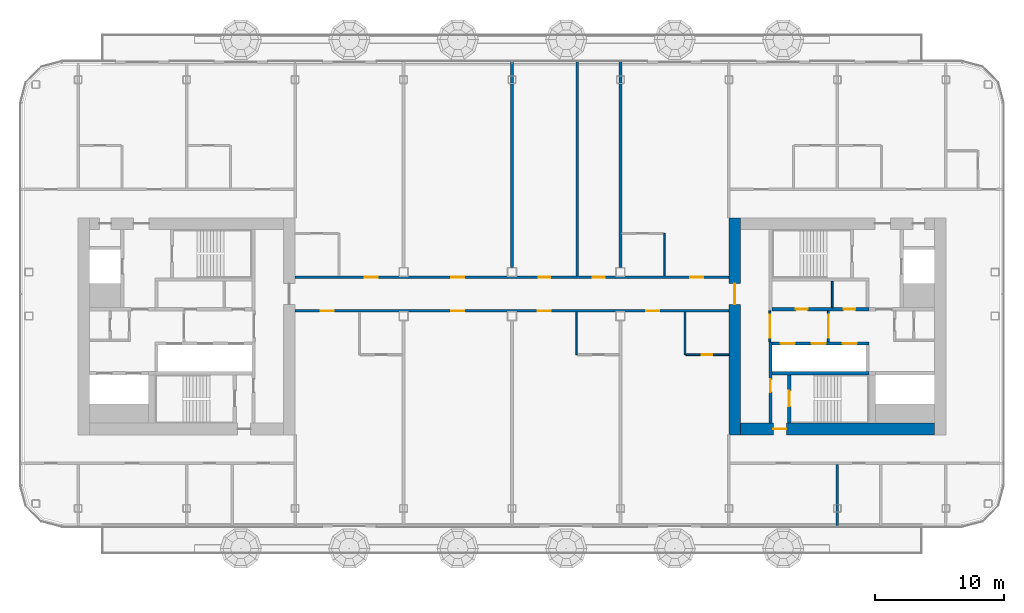
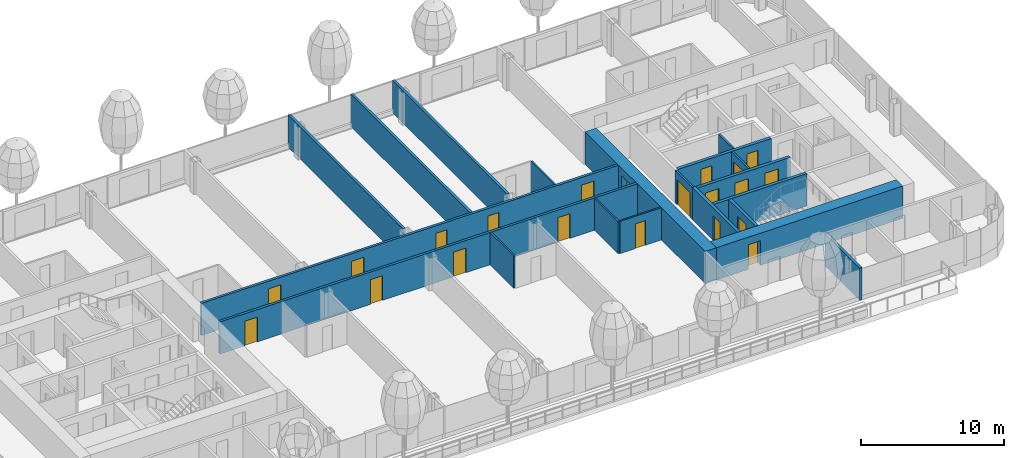
# One storey, part 13 of 28: 21 doors, 20 walls, 21 openings.
"""IFC4 building model written with IfcOpenShell, lengths in metres."""

from ifc_helpers import new_model, si_unit, direction, frame, frame_2d, origin, place, context, subcontext, project, spatial, rectangle, extrude, material, layer, layer_set, type_object, element, fill, save


model = new_model("IFC4")

# Units and contexts
model_context = context("Model", 3, precision=1e-05, world=origin(), true_north=direction((0.0, 1.0)))
body_context = subcontext(model_context, "Body", "Model", "MODEL_VIEW")
ifc_project = project(units=[si_unit("LENGTHUNIT", "METRE"), si_unit("AREAUNIT", "SQUARE_METRE"), si_unit("VOLUMEUNIT", "CUBIC_METRE"), si_unit("PLANEANGLEUNIT", "RADIAN"), si_unit("MASSUNIT", "GRAM", prefix="KILO")], contexts=[model_context])

# Site, building, storey
site_placement = place(None, origin())
site = spatial("IfcSite", under=ifc_project, at=site_placement, CompositionType="ELEMENT")
building_placement = place(site_placement, origin())
building = spatial("IfcBuilding", under=site, at=building_placement, Name="Hakoniwa Tower and Hamabe Station Hall", CompositionType="ELEMENT")
storey_placement = place(building_placement, frame((0.0, 0.0, 218.60009765625)))
storey = spatial("IfcBuildingStorey", under=building, at=storey_placement, Name="L62", CompositionType="ELEMENT", Elevation=218.60009765625)

# Wall, opening, door
ifc_material_1 = material(Name="Gypsum board partition", Category="gypsum")
ifc_layer_1 = layer(ifc_material_1, 0.125)
ifc_layer_set_1 = layer_set([ifc_layer_1], Name="Bathroom Partition 125")
wall_type_1 = type_object("IfcWallType", Name="Bathroom Partition 125", PredefinedType="PARTITIONING", material=ifc_layer_set_1)
wall_1_placement = place(storey_placement, frame((13.46240234375, -2.199951171875, 0.0), z_axis=(0.0, 0.0, 1.0), x_axis=(1.0, 0.0, 0.0)))
wall_1 = element("IfcWall", 1, at=wall_1_placement, inside=storey, type_object=wall_type_1, Name="GW-L62-005", PredefinedType="PARTITIONING", context=body_context, shape_type="SweptSolid", body=[
    extrude(rectangle(XDim=3.34765625, YDim=0.125, at=frame_2d((1.673828125, 0.0))), origin(), (0.0, 0.0, 1.0), 2.75),
])
opening_1_placement = place(wall_1_placement, frame((1.237548828125, 0.0, 0.0)))
opening_1 = element("IfcOpeningElement", 2, at=opening_1_placement, cuts=wall_1, Name="Opening GD-G4A2-11", PredefinedType="OPENING", context=body_context, shape_type="SweptSolid", body=[
    extrude(rectangle(XDim=0.800048828125, YDim=2.10009765625, at=frame_2d((0.39990234375, 1.050048828125))), frame((0.0, 0.072509765625, 0.0), z_axis=(0.0, -1.0, 0.0), x_axis=(1.0, 0.0, 0.0)), (0.0, 0.0, 1.0), 0.14501953125),
])
ifc_material_2 = material(Name="Timber door leaf", Category="wood")
door_type_1 = type_object("IfcDoorType", Name="Bathroom Door 800", OperationType="SINGLE_SWING_LEFT", PredefinedType="DOOR", material=ifc_material_2)
door_1_placement = place(opening_1_placement, origin())
door_1 = element("IfcDoor", 3, at=door_1_placement, inside=storey, type_object=door_type_1, Name="Door GD-G4A2-11", OperationType="SINGLE_SWING_RIGHT", OverallHeight=2.10009765625, OverallWidth=0.800048828125, PredefinedType="DOOR", context=body_context, shape_type="SweptSolid", body=[
    extrude(rectangle(XDim=0.800048828125, YDim=2.10009765625, at=frame_2d((0.39990234375, 1.050048828125))), frame((0.0, 0.02490234375, 0.0), z_axis=(0.0, -1.0, 0.0), x_axis=(1.0, 0.0, 0.0)), (0.0, 0.0, 1.0), 0.050048828125),
])
fill(opening_1, door_1)

# Walls
for number, where, z_axis, x_axis, name in (
    (4, (5.0, -2.199951171875, 0.0), (0.0, 0.0, 1.0), (0.0, 1.0, 0.0), "GW-L62-031"),
    (5, (11.800048828125, 3.89990234375, 0.0), (0.0, 0.0, 1.0), (0.0, 1.0, 0.0), "GW-L62-035"),
    (6, (13.39990234375, -2.199951171875, 0.0), (0.0, 0.0, 1.0), (0.0, 1.0, 0.0), "GW-L62-036"),
):
    element("IfcWall", number, at=place(storey_placement, frame(where, z_axis=z_axis, x_axis=x_axis)), inside=storey, type_object=wall_type_1, Name=name, PredefinedType="PARTITIONING", context=body_context, shape_type="SweptSolid", body=[
        extrude(rectangle(XDim=3.300048828125, YDim=0.125, at=frame_2d((1.64990234375, 0.0))), origin(), (0.0, 0.0, 1.0), 2.75),
    ])

# Wall, opening, door
ifc_material_3 = material(Name="Gypsum board partition")
ifc_layer_2 = layer(ifc_material_3, 0.14990234375)
ifc_layer_set_2 = layer_set([ifc_layer_2], Name="CORE PARTITION 150 EI 60")
wall_type_2 = type_object("IfcWallType", Name="CORE PARTITION 150 EI 60", PredefinedType="PARTITIONING", material=ifc_layer_set_2)
wall_2_placement = place(storey_placement, frame((19.97509765625, -1.199951171875, 0.0), z_axis=(0.0, 0.0, 1.0), x_axis=(0.0, 1.0, 0.0)))
wall_2 = element("IfcWall", 7, at=wall_2_placement, inside=storey, type_object=wall_type_2, Name="Core partition PL0 east", PredefinedType="PARTITIONING", context=body_context, shape_type="SweptSolid", body=[
    extrude(rectangle(XDim=2.39990234375, YDim=0.14990234375, at=frame_2d((1.199951171875, 0.0))), origin(), (0.0, 0.0, 1.0), 2.75),
])
opening_2_placement = place(wall_2_placement, frame((0.300048828125, 0.0, 0.0)))
opening_2 = element("IfcOpeningElement", 8, at=opening_2_placement, cuts=wall_2, Name="Opening CD-E-LP0-18", PredefinedType="OPENING", context=body_context, shape_type="SweptSolid", body=[
    extrude(rectangle(XDim=1.800048828125, YDim=2.10009765625, at=frame_2d((0.89990234375, 1.050048828125))), frame((0.0, 0.0849609375, 0.0), z_axis=(0.0, -1.0, 0.0), x_axis=(1.0, 0.0, 0.0)), (0.0, 0.0, 1.0), 0.169921875),
])
ifc_material_4 = material(Name="Steel fire door", Category="steel")
door_type_2 = type_object("IfcDoorType", Name="CORE DOOR 1800 FD60", OperationType="DOUBLE_DOOR_SINGLE_SWING", PredefinedType="DOOR", material=ifc_material_4)
door_2_placement = place(opening_2_placement, origin())
door_2 = element("IfcDoor", 9, at=door_2_placement, inside=storey, type_object=door_type_2, Name="Lift lobby partition door", OperationType="DOUBLE_DOOR_SINGLE_SWING", OverallHeight=2.10009765625, OverallWidth=1.800048828125, PredefinedType="DOOR", context=body_context, shape_type="SweptSolid", body=[
    extrude(rectangle(XDim=1.800048828125, YDim=2.10009765625, at=frame_2d((0.89990234375, 1.050048828125))), frame((0.0, 0.02490234375, 0.0), z_axis=(0.0, -1.0, 0.0), x_axis=(1.0, 0.0, 0.0)), (0.0, 0.0, 1.0), 0.050048828125),
])
fill(opening_2, door_2)

wall_3_placement = place(storey_placement, frame((24.5, -1.199951171875, 0.0), z_axis=(0.0, 0.0, 1.0), x_axis=(0.0, 1.0, 0.0)))
wall_3 = element("IfcWall", 10, at=wall_3_placement, inside=storey, type_object=wall_type_2, Name="Core partition PL1 east", PredefinedType="PARTITIONING", context=body_context, shape_type="SweptSolid", body=[
    extrude(rectangle(XDim=2.39990234375, YDim=0.14990234375, at=frame_2d((1.199951171875, 0.0))), origin(), (0.0, 0.0, 1.0), 2.75),
])
opening_3_placement = place(wall_3_placement, frame((0.300048828125, 0.0, 0.0)))
opening_3 = element("IfcOpeningElement", 11, at=opening_3_placement, cuts=wall_3, Name="Opening CD-E-LP1-18", PredefinedType="OPENING", context=body_context, shape_type="SweptSolid", body=[
    extrude(rectangle(XDim=1.800048828125, YDim=2.10009765625, at=frame_2d((0.89990234375, 1.050048828125))), frame((0.0, 0.0849609375, 0.0), z_axis=(0.0, -1.0, 0.0), x_axis=(1.0, 0.0, 0.0)), (0.0, 0.0, 1.0), 0.169921875),
])
door_3_placement = place(opening_3_placement, origin())
door_3 = element("IfcDoor", 12, at=door_3_placement, inside=storey, type_object=door_type_2, Name="Lift lobby partition door", OperationType="DOUBLE_DOOR_SINGLE_SWING", OverallHeight=2.10009765625, OverallWidth=1.800048828125, PredefinedType="DOOR", context=body_context, shape_type="SweptSolid", body=[
    extrude(rectangle(XDim=1.800048828125, YDim=2.10009765625, at=frame_2d((0.89990234375, 1.050048828125))), frame((0.0, 0.02490234375, 0.0), z_axis=(0.0, -1.0, 0.0), x_axis=(1.0, 0.0, 0.0)), (0.0, 0.0, 1.0), 0.050048828125),
])
fill(opening_3, door_3)

# Wall
wall_4_placement = place(storey_placement, frame((24.800048828125, 1.449951171875, 0.0), z_axis=(0.0, 0.0, 1.0), x_axis=(0.0, 1.0, 0.0)))
element("IfcWall", 13, at=wall_4_placement, inside=storey, type_object=wall_type_2, Name="Core partition PFLR0 east", PredefinedType="PARTITIONING", context=body_context, shape_type="SweptSolid", body=[
    extrude(rectangle(XDim=2.050048828125, YDim=0.14990234375, at=frame_2d((1.02490234375, 0.0))), origin(), (0.0, 0.0, 1.0), 2.75),
])

# Wall, opening, door
ifc_material_5 = material(Name="Concrete C60", Category="concrete")
ifc_layer_3 = layer(ifc_material_5, 0.89990234375)
ifc_layer_set_3 = layer_set([ifc_layer_3], Name="CORE WALL 900 C60")
wall_type_3 = type_object("IfcWallType", Name="CORE WALL 900 C60", PredefinedType="SHEAR", material=ifc_layer_set_3)
wall_5_placement = place(storey_placement, frame((17.25, -8.39990234375, 0.0), z_axis=(0.0, 0.0, 1.0), x_axis=(0.0, 1.0, 0.0)))
wall_5 = element("IfcWall", 14, at=wall_5_placement, inside=storey, type_object=wall_type_3, Name="Core wall INNER east", PredefinedType="SHEAR", context=body_context, shape_type="SweptSolid", body=[
    extrude(rectangle(XDim=16.7998046875, YDim=0.89990234375, at=frame_2d((8.39990234375, 0.0))), origin(), (0.0, 0.0, 1.0), 2.75),
])
opening_4_placement = place(wall_5_placement, frame((10.10009765625, 0.0, 0.0)))
opening_4 = element("IfcOpeningElement", 15, at=opening_4_placement, cuts=wall_5, Name="Opening CD-E-IN1-16", PredefinedType="OPENING", context=body_context, shape_type="SweptSolid", body=[
    extrude(rectangle(XDim=1.60009765625, YDim=2.10009765625, at=frame_2d((0.800048828125, 1.050048828125))), frame((0.0, 0.4599609375, 0.0), z_axis=(0.0, -1.0, 0.0), x_axis=(1.0, 0.0, 0.0)), (0.0, 0.0, 1.0), 0.919921875),
])
ifc_material_6 = material(Name="Steel fire door", Category="steel")
door_type_3 = type_object("IfcDoorType", Name="CORE DOOR 1600 FD60", OperationType="DOUBLE_DOOR_SINGLE_SWING", PredefinedType="DOOR", material=ifc_material_6)
door_4_placement = place(opening_4_placement, origin())
door_4 = element("IfcDoor", 16, at=door_4_placement, inside=storey, type_object=door_type_3, Name="Lift lobby door", OperationType="DOUBLE_DOOR_SINGLE_SWING", OverallHeight=2.10009765625, OverallWidth=1.60009765625, PredefinedType="DOOR", context=body_context, shape_type="SweptSolid", body=[
    extrude(rectangle(XDim=1.60009765625, YDim=2.10009765625, at=frame_2d((0.800048828125, 1.050048828125))), frame((0.0, 0.02490234375, 0.0), z_axis=(0.0, -1.0, 0.0), x_axis=(1.0, 0.0, 0.0)), (0.0, 0.0, 1.0), 0.050048828125),
])
fill(opening_4, door_4)

wall_6_placement = place(storey_placement, frame((17.699951171875, -7.949951171875, 0.0), z_axis=(0.0, 0.0, 1.0), x_axis=(1.0, 0.0, 0.0)))
wall_6 = element("IfcWall", 17, at=wall_6_placement, inside=storey, type_object=wall_type_3, Name="Core wall SOUTH east", PredefinedType="SHEAR", context=body_context, shape_type="SweptSolid", body=[
    extrude(rectangle(XDim=15.0, YDim=0.89990234375, at=frame_2d((7.5, 0.0))), origin(), (0.0, 0.0, 1.0), 2.75),
])
opening_5_placement = place(wall_6_placement, frame((2.550048828125, 0.0, 0.0)))
opening_5 = element("IfcOpeningElement", 18, at=opening_5_placement, cuts=wall_6, Name="Opening CD-E-FS3-10", PredefinedType="OPENING", context=body_context, shape_type="SweptSolid", body=[
    extrude(rectangle(XDim=1.0, YDim=2.10009765625, at=frame_2d((0.5, 1.050048828125))), frame((0.0, 0.4599609375, 0.0), z_axis=(0.0, -1.0, 0.0), x_axis=(1.0, 0.0, 0.0)), (0.0, 0.0, 1.0), 0.919921875),
])
ifc_material_7 = material(Name="Steel fire door", Category="steel")
door_type_4 = type_object("IfcDoorType", Name="CORE DOOR 1000 FD60", OperationType="NOTDEFINED", PredefinedType="DOOR", material=ifc_material_7)
door_5_placement = place(opening_5_placement, origin())
door_5 = element("IfcDoor", 19, at=door_5_placement, inside=storey, type_object=door_type_4, Name="Stair vestibule door", OperationType="SINGLE_SWING_RIGHT", OverallHeight=2.10009765625, OverallWidth=1.0, PredefinedType="DOOR", context=body_context, shape_type="SweptSolid", body=[
    extrude(rectangle(XDim=1.0, YDim=2.10009765625, at=frame_2d((0.5, 1.050048828125))), frame((0.0, 0.02490234375, 0.0), z_axis=(0.0, -1.0, 0.0), x_axis=(1.0, 0.0, 0.0)), (0.0, 0.0, 1.0), 0.050048828125),
])
fill(opening_5, door_5)

ifc_material_8 = material(Name="Concrete C60", Category="concrete")
ifc_layer_4 = layer(ifc_material_8, 0.25)
ifc_layer_set_4 = layer_set([ifc_layer_4], Name="CORE WEB WALL 250 C60")
wall_type_4 = type_object("IfcWallType", Name="CORE WEB WALL 250 C60", PredefinedType="SHEAR", material=ifc_layer_set_4)
wall_7_placement = place(storey_placement, frame((20.02490234375, -7.5, 0.0), z_axis=(0.0, 0.0, 1.0), x_axis=(0.0, 1.0, 0.0)))
wall_7 = element("IfcWall", 20, at=wall_7_placement, inside=storey, type_object=wall_type_4, Name="Core wall W1S east", PredefinedType="SHEAR", context=body_context, shape_type="SweptSolid", body=[
    extrude(rectangle(XDim=6.300048828125, YDim=0.25, at=frame_2d((3.14990234375, 0.0))), origin(), (0.0, 0.0, 1.0), 2.75),
])
opening_6_placement = place(wall_7_placement, frame((2.39990234375, 0.0, 0.0)))
opening_6 = element("IfcOpeningElement", 21, at=opening_6_placement, cuts=wall_7, Name="Opening CD-E-VS-10", PredefinedType="OPENING", context=body_context, shape_type="SweptSolid", body=[
    extrude(rectangle(XDim=1.0, YDim=2.10009765625, at=frame_2d((0.5, 1.050048828125))), frame((0.0, 0.135009765625, 0.0), z_axis=(0.0, -1.0, 0.0), x_axis=(1.0, 0.0, 0.0)), (0.0, 0.0, 1.0), 0.27001953125),
])
door_6_placement = place(opening_6_placement, origin())
door_6 = element("IfcDoor", 22, at=door_6_placement, inside=storey, type_object=door_type_4, Name="Stair vestibule door", OperationType="SINGLE_SWING_RIGHT", OverallHeight=2.10009765625, OverallWidth=1.0, PredefinedType="DOOR", context=body_context, shape_type="SweptSolid", body=[
    extrude(rectangle(XDim=1.0, YDim=2.10009765625, at=frame_2d((0.5, 1.050048828125))), frame((0.0, 0.02490234375, 0.0), z_axis=(0.0, -1.0, 0.0), x_axis=(1.0, 0.0, 0.0)), (0.0, 0.0, 1.0), 0.050048828125),
])
fill(opening_6, door_6)

# Wall, openings, doors
wall_8_placement = place(storey_placement, frame((20.14990234375, 1.324951171875, 0.0), z_axis=(0.0, 0.0, 1.0), x_axis=(1.0, 0.0, 0.0)))
wall_8 = element("IfcWall", 23, at=wall_8_placement, inside=storey, type_object=wall_type_4, Name="Core wall NF east", PredefinedType="SHEAR", context=body_context, shape_type="SweptSolid", body=[
    extrude(rectangle(XDim=7.5, YDim=0.25, at=frame_2d((3.75, 0.0))), origin(), (0.0, 0.0, 1.0), 2.75),
])
opening_7_placement = place(wall_8_placement, frame((1.83740234375, 0.0, 0.0)))
opening_7 = element("IfcOpeningElement", 24, at=opening_7_placement, cuts=wall_8, Name="Opening CD-E-FRLR0-9", PredefinedType="OPENING", context=body_context, shape_type="SweptSolid", body=[
    extrude(rectangle(XDim=0.89990234375, YDim=2.10009765625, at=frame_2d((0.449951171875, 1.050048828125))), frame((0.0, 0.135009765625, 0.0), z_axis=(0.0, -1.0, 0.0), x_axis=(1.0, 0.0, 0.0)), (0.0, 0.0, 1.0), 0.27001953125),
])
opening_8_placement = place(wall_8_placement, frame((5.53759765625, 0.0, 0.0)))
opening_8 = element("IfcOpeningElement", 25, at=opening_8_placement, cuts=wall_8, Name="Opening CD-E-FRLR1-9", PredefinedType="OPENING", context=body_context, shape_type="SweptSolid", body=[
    extrude(rectangle(XDim=0.89990234375, YDim=2.10009765625, at=frame_2d((0.449951171875, 1.050048828125))), frame((0.0, 0.135009765625, 0.0), z_axis=(0.0, -1.0, 0.0), x_axis=(1.0, 0.0, 0.0)), (0.0, 0.0, 1.0), 0.27001953125),
])
ifc_material_9 = material(Name="Steel fire door", Category="steel")
door_type_5 = type_object("IfcDoorType", Name="CORE DOOR 900 FD30", OperationType="NOTDEFINED", PredefinedType="DOOR", material=ifc_material_9)
door_7_placement = place(opening_7_placement, origin())
door_7 = element("IfcDoor", 26, at=door_7_placement, inside=storey, type_object=door_type_5, Name="Store room door", OperationType="SINGLE_SWING_LEFT", OverallHeight=2.10009765625, OverallWidth=0.89990234375, PredefinedType="DOOR", context=body_context, shape_type="SweptSolid", body=[
    extrude(rectangle(XDim=0.89990234375, YDim=2.10009765625, at=frame_2d((0.449951171875, 1.050048828125))), frame((0.0, 0.02490234375, 0.0), z_axis=(0.0, -1.0, 0.0), x_axis=(1.0, 0.0, 0.0)), (0.0, 0.0, 1.0), 0.050048828125),
])
fill(opening_7, door_7)
door_8_placement = place(opening_8_placement, origin())
door_8 = element("IfcDoor", 27, at=door_8_placement, inside=storey, type_object=door_type_5, Name="Store room door", OperationType="SINGLE_SWING_RIGHT", OverallHeight=2.10009765625, OverallWidth=0.89990234375, PredefinedType="DOOR", context=body_context, shape_type="SweptSolid", body=[
    extrude(rectangle(XDim=0.89990234375, YDim=2.10009765625, at=frame_2d((0.449951171875, 1.050048828125))), frame((0.0, 0.02490234375, 0.0), z_axis=(0.0, -1.0, 0.0), x_axis=(1.0, 0.0, 0.0)), (0.0, 0.0, 1.0), 0.050048828125),
])
fill(opening_8, door_8)

wall_9_placement = place(storey_placement, frame((20.14990234375, -1.324951171875, 0.0), z_axis=(0.0, 0.0, 1.0), x_axis=(1.0, 0.0, 0.0)))
wall_9 = element("IfcWall", 28, at=wall_9_placement, inside=storey, type_object=wall_type_4, Name="Core wall SF east", PredefinedType="SHEAR", context=body_context, shape_type="SweptSolid", body=[
    extrude(rectangle(XDim=7.5, YDim=0.25, at=frame_2d((3.75, 0.0))), origin(), (0.0, 0.0, 1.0), 2.75),
])
opening_9_placement = place(wall_9_placement, frame((0.64990234375, 0.0, 0.0)))
opening_9 = element("IfcOpeningElement", 29, at=opening_9_placement, cuts=wall_9, Name="Opening LD-HR4", PredefinedType="OPENING", context=body_context, shape_type="SweptSolid", body=[
    extrude(rectangle(XDim=1.10009765625, YDim=2.10009765625, at=frame_2d((0.550048828125, 1.050048828125))), frame((0.0, 0.135009765625, 0.0), z_axis=(0.0, -1.0, 0.0), x_axis=(1.0, 0.0, 0.0)), (0.0, 0.0, 1.0), 0.27001953125),
])
opening_10_placement = place(wall_9_placement, frame((3.050048828125, 0.0, 0.0)))
opening_10 = element("IfcOpeningElement", 30, at=opening_10_placement, cuts=wall_9, Name="Opening LD-HR5", PredefinedType="OPENING", context=body_context, shape_type="SweptSolid", body=[
    extrude(rectangle(XDim=1.10009765625, YDim=2.10009765625, at=frame_2d((0.550048828125, 1.050048828125))), frame((0.0, 0.135009765625, 0.0), z_axis=(0.0, -1.0, 0.0), x_axis=(1.0, 0.0, 0.0)), (0.0, 0.0, 1.0), 0.27001953125),
])
opening_11_placement = place(wall_9_placement, frame((5.449951171875, 0.0, 0.0)))
opening_11 = element("IfcOpeningElement", 31, at=opening_11_placement, cuts=wall_9, Name="Opening LD-HR6", PredefinedType="OPENING", context=body_context, shape_type="SweptSolid", body=[
    extrude(rectangle(XDim=1.10009765625, YDim=2.10009765625, at=frame_2d((0.550048828125, 1.050048828125))), frame((0.0, 0.135009765625, 0.0), z_axis=(0.0, -1.0, 0.0), x_axis=(1.0, 0.0, 0.0)), (0.0, 0.0, 1.0), 0.27001953125),
])
ifc_material_10 = material(Name="Stainless steel SUS304", Category="steel")
door_type_6 = type_object("IfcDoorType", Name="LIFT LANDING DOOR 1100 FD60", OperationType="DOUBLE_DOOR_SLIDING", PredefinedType="DOOR", material=ifc_material_10)
door_9_placement = place(opening_9_placement, origin())
door_9 = element("IfcDoor", 32, at=door_9_placement, inside=storey, type_object=door_type_6, Name="Lift landing door HR4 L62", OperationType="DOUBLE_DOOR_SLIDING", OverallHeight=2.10009765625, OverallWidth=1.10009765625, PredefinedType="DOOR", context=body_context, shape_type="SweptSolid", body=[
    extrude(rectangle(XDim=1.10009765625, YDim=2.10009765625, at=frame_2d((0.550048828125, 1.050048828125))), frame((0.0, 0.02490234375, 0.0), z_axis=(0.0, -1.0, 0.0), x_axis=(1.0, 0.0, 0.0)), (0.0, 0.0, 1.0), 0.050048828125),
])
fill(opening_9, door_9)
door_10_placement = place(opening_10_placement, origin())
door_10 = element("IfcDoor", 33, at=door_10_placement, inside=storey, type_object=door_type_6, Name="Lift landing door HR5 L62", OperationType="DOUBLE_DOOR_SLIDING", OverallHeight=2.10009765625, OverallWidth=1.10009765625, PredefinedType="DOOR", context=body_context, shape_type="SweptSolid", body=[
    extrude(rectangle(XDim=1.10009765625, YDim=2.10009765625, at=frame_2d((0.550048828125, 1.050048828125))), frame((0.0, 0.02490234375, 0.0), z_axis=(0.0, -1.0, 0.0), x_axis=(1.0, 0.0, 0.0)), (0.0, 0.0, 1.0), 0.050048828125),
])
fill(opening_10, door_10)
door_11_placement = place(opening_11_placement, origin())
door_11 = element("IfcDoor", 34, at=door_11_placement, inside=storey, type_object=door_type_6, Name="Lift landing door HR6 L62", OperationType="DOUBLE_DOOR_SLIDING", OverallHeight=2.10009765625, OverallWidth=1.10009765625, PredefinedType="DOOR", context=body_context, shape_type="SweptSolid", body=[
    extrude(rectangle(XDim=1.10009765625, YDim=2.10009765625, at=frame_2d((0.550048828125, 1.050048828125))), frame((0.0, 0.02490234375, 0.0), z_axis=(0.0, -1.0, 0.0), x_axis=(1.0, 0.0, 0.0)), (0.0, 0.0, 1.0), 0.050048828125),
])
fill(opening_11, door_11)

# Wall
wall_10_placement = place(storey_placement, frame((20.14990234375, -3.625, 0.0), z_axis=(0.0, 0.0, 1.0), x_axis=(1.0, 0.0, 0.0)))
element("IfcWall", 35, at=wall_10_placement, inside=storey, type_object=wall_type_4, Name="Core wall SR east", PredefinedType="SHEAR", context=body_context, shape_type="SweptSolid", body=[
    extrude(rectangle(XDim=7.5, YDim=0.25, at=frame_2d((3.75, 0.0))), origin(), (0.0, 0.0, 1.0), 2.75),
])

# Wall, opening, door
wall_11_placement = place(storey_placement, frame((21.47509765625, -7.5, 0.0), z_axis=(0.0, 0.0, 1.0), x_axis=(0.0, 1.0, 0.0)))
wall_11 = element("IfcWall", 36, at=wall_11_placement, inside=storey, type_object=wall_type_4, Name="Core wall VE east", PredefinedType="SHEAR", context=body_context, shape_type="SweptSolid", body=[
    extrude(rectangle(XDim=3.75, YDim=0.25, at=frame_2d((1.875, 0.0))), origin(), (0.0, 0.0, 1.0), 2.75),
])
opening_12_placement = place(wall_11_placement, frame((1.300048828125, 0.0, 0.0)))
opening_12 = element("IfcOpeningElement", 37, at=opening_12_placement, cuts=wall_11, Name="Opening CD-E-SS-12", PredefinedType="OPENING", context=body_context, shape_type="SweptSolid", body=[
    extrude(rectangle(XDim=1.199951171875, YDim=2.10009765625, at=frame_2d((0.60009765625, 1.050048828125))), frame((0.0, 0.135009765625, 0.0), z_axis=(0.0, -1.0, 0.0), x_axis=(1.0, 0.0, 0.0)), (0.0, 0.0, 1.0), 0.27001953125),
])
ifc_material_11 = material(Name="Steel fire door", Category="steel")
door_type_7 = type_object("IfcDoorType", Name="CORE DOOR 1200 FD60", OperationType="DOUBLE_DOOR_SINGLE_SWING", PredefinedType="DOOR", material=ifc_material_11)
door_12_placement = place(opening_12_placement, origin())
door_12 = element("IfcDoor", 38, at=door_12_placement, inside=storey, type_object=door_type_7, Name="Escape stair door", OperationType="DOUBLE_DOOR_SINGLE_SWING", OverallHeight=2.10009765625, OverallWidth=1.199951171875, PredefinedType="DOOR", context=body_context, shape_type="SweptSolid", body=[
    extrude(rectangle(XDim=1.199951171875, YDim=2.10009765625, at=frame_2d((0.60009765625, 1.050048828125))), frame((0.0, 0.02490234375, 0.0), z_axis=(0.0, -1.0, 0.0), x_axis=(1.0, 0.0, 0.0)), (0.0, 0.0, 1.0), 0.050048828125),
])
fill(opening_12, door_12)

# Wall, openings, doors
ifc_material_12 = material(Name="Fire-rated gypsum board partition", Category="gypsum")
ifc_layer_5 = layer(ifc_material_12, 0.199951171875)
ifc_layer_set_5 = layer_set([ifc_layer_5], Name="Corridor Wall 200")
wall_type_5 = type_object("IfcWallType", Name="Corridor Wall 200", PredefinedType="PARTITIONING", material=ifc_layer_set_5)
wall_12_placement = place(storey_placement, frame((-16.800048828125, 1.199951171875, 0.0), z_axis=(0.0, 0.0, 1.0), x_axis=(1.0, 0.0, 0.0)))
wall_12 = element("IfcWall", 39, at=wall_12_placement, inside=storey, type_object=wall_type_5, Name="GW-L62-006", PredefinedType="PARTITIONING", context=body_context, shape_type="SweptSolid", body=[
    extrude(rectangle(XDim=33.60009765625, YDim=0.199951171875, at=frame_2d((16.800048828125, 0.0))), origin(), (0.0, 0.0, 1.0), 2.75),
])
opening_13_placement = place(wall_12_placement, frame((2.0, 0.0, 0.0)))
opening_13 = element("IfcOpeningElement", 40, at=opening_13_placement, cuts=wall_12, Name="Opening GD-G4A2-12", PredefinedType="OPENING", context=body_context, shape_type="SweptSolid", body=[
    extrude(rectangle(XDim=1.0, YDim=2.10009765625, at=frame_2d((0.5, 1.050048828125))), frame((0.0, 0.10986328125, 0.0), z_axis=(0.0, -1.0, 0.0), x_axis=(1.0, 0.0, 0.0)), (0.0, 0.0, 1.0), 0.219970703125),
])
opening_14_placement = place(wall_12_placement, frame((12.10009765625, 0.0, 0.0)))
opening_14 = element("IfcOpeningElement", 41, at=opening_14_placement, cuts=wall_12, Name="Opening GD-G4A2-13", PredefinedType="OPENING", context=body_context, shape_type="SweptSolid", body=[
    extrude(rectangle(XDim=1.0, YDim=2.10009765625, at=frame_2d((0.5, 1.050048828125))), frame((0.0, 0.10986328125, 0.0), z_axis=(0.0, -1.0, 0.0), x_axis=(1.0, 0.0, 0.0)), (0.0, 0.0, 1.0), 0.219970703125),
])
opening_15_placement = place(wall_12_placement, frame((18.800048828125, 0.0, 0.0)))
opening_15 = element("IfcOpeningElement", 42, at=opening_15_placement, cuts=wall_12, Name="Opening GD-G4A2-14", PredefinedType="OPENING", context=body_context, shape_type="SweptSolid", body=[
    extrude(rectangle(XDim=1.0, YDim=2.10009765625, at=frame_2d((0.5, 1.050048828125))), frame((0.0, 0.10986328125, 0.0), z_axis=(0.0, -1.0, 0.0), x_axis=(1.0, 0.0, 0.0)), (0.0, 0.0, 1.0), 0.219970703125),
])
opening_16_placement = place(wall_12_placement, frame((27.199951171875, 0.0, 0.0)))
opening_16 = element("IfcOpeningElement", 43, at=opening_16_placement, cuts=wall_12, Name="Opening GD-G4A2-15", PredefinedType="OPENING", context=body_context, shape_type="SweptSolid", body=[
    extrude(rectangle(XDim=1.0, YDim=2.10009765625, at=frame_2d((0.5, 1.050048828125))), frame((0.0, 0.10986328125, 0.0), z_axis=(0.0, -1.0, 0.0), x_axis=(1.0, 0.0, 0.0)), (0.0, 0.0, 1.0), 0.219970703125),
])
ifc_material_13 = material(Name="Timber door leaf", Category="wood")
door_type_8 = type_object("IfcDoorType", Name="Guest Entrance Door 1000", OperationType="SINGLE_SWING_LEFT", PredefinedType="DOOR", material=ifc_material_13)
door_13_placement = place(opening_13_placement, origin())
door_13 = element("IfcDoor", 44, at=door_13_placement, inside=storey, type_object=door_type_8, Name="Door GD-G4A2-12", OperationType="SINGLE_SWING_LEFT", OverallHeight=2.10009765625, OverallWidth=1.0, PredefinedType="DOOR", context=body_context, shape_type="SweptSolid", body=[
    extrude(rectangle(XDim=1.0, YDim=2.10009765625, at=frame_2d((0.5, 1.050048828125))), frame((0.0, 0.02490234375, 0.0), z_axis=(0.0, -1.0, 0.0), x_axis=(1.0, 0.0, 0.0)), (0.0, 0.0, 1.0), 0.050048828125),
])
fill(opening_13, door_13)
door_14_placement = place(opening_14_placement, origin())
door_14 = element("IfcDoor", 45, at=door_14_placement, inside=storey, type_object=door_type_8, Name="Door GD-G4A2-13", OperationType="SINGLE_SWING_RIGHT", OverallHeight=2.10009765625, OverallWidth=1.0, PredefinedType="DOOR", context=body_context, shape_type="SweptSolid", body=[
    extrude(rectangle(XDim=1.0, YDim=2.10009765625, at=frame_2d((0.5, 1.050048828125))), frame((0.0, 0.02490234375, 0.0), z_axis=(0.0, -1.0, 0.0), x_axis=(1.0, 0.0, 0.0)), (0.0, 0.0, 1.0), 0.050048828125),
])
fill(opening_14, door_14)
door_15_placement = place(opening_15_placement, origin())
door_15 = element("IfcDoor", 46, at=door_15_placement, inside=storey, type_object=door_type_8, Name="Door GD-G4A2-14", OperationType="SINGLE_SWING_LEFT", OverallHeight=2.10009765625, OverallWidth=1.0, PredefinedType="DOOR", context=body_context, shape_type="SweptSolid", body=[
    extrude(rectangle(XDim=1.0, YDim=2.10009765625, at=frame_2d((0.5, 1.050048828125))), frame((0.0, 0.02490234375, 0.0), z_axis=(0.0, -1.0, 0.0), x_axis=(1.0, 0.0, 0.0)), (0.0, 0.0, 1.0), 0.050048828125),
])
fill(opening_15, door_15)
door_16_placement = place(opening_16_placement, origin())
door_16 = element("IfcDoor", 47, at=door_16_placement, inside=storey, type_object=door_type_8, Name="Door GD-G4A2-15", OperationType="SINGLE_SWING_RIGHT", OverallHeight=2.10009765625, OverallWidth=1.0, PredefinedType="DOOR", context=body_context, shape_type="SweptSolid", body=[
    extrude(rectangle(XDim=1.0, YDim=2.10009765625, at=frame_2d((0.5, 1.050048828125))), frame((0.0, 0.02490234375, 0.0), z_axis=(0.0, -1.0, 0.0), x_axis=(1.0, 0.0, 0.0)), (0.0, 0.0, 1.0), 0.050048828125),
])
fill(opening_16, door_16)

wall_13_placement = place(storey_placement, frame((-16.800048828125, 3.800048828125, 0.0), z_axis=(0.0, 0.0, 1.0), x_axis=(1.0, 0.0, 0.0)))
wall_13 = element("IfcWall", 48, at=wall_13_placement, inside=storey, type_object=wall_type_5, Name="GW-L62-007", PredefinedType="PARTITIONING", context=body_context, shape_type="SweptSolid", body=[
    extrude(rectangle(XDim=33.60009765625, YDim=0.199951171875, at=frame_2d((16.800048828125, 0.0))), origin(), (0.0, 0.0, 1.0), 2.75),
])
opening_17_placement = place(wall_13_placement, frame((5.39990234375, 0.0, 0.0)))
opening_17 = element("IfcOpeningElement", 49, at=opening_17_placement, cuts=wall_13, Name="Opening GD-G4A2-16", PredefinedType="OPENING", context=body_context, shape_type="SweptSolid", body=[
    extrude(rectangle(XDim=1.0, YDim=2.10009765625, at=frame_2d((0.5, 1.050048828125))), frame((0.0, 0.10986328125, 0.0), z_axis=(0.0, -1.0, 0.0), x_axis=(1.0, 0.0, 0.0)), (0.0, 0.0, 1.0), 0.219970703125),
])
opening_18_placement = place(wall_13_placement, frame((12.10009765625, 0.0, 0.0)))
opening_18 = element("IfcOpeningElement", 50, at=opening_18_placement, cuts=wall_13, Name="Opening GD-G4A2-17", PredefinedType="OPENING", context=body_context, shape_type="SweptSolid", body=[
    extrude(rectangle(XDim=1.0, YDim=2.10009765625, at=frame_2d((0.5, 1.050048828125))), frame((0.0, 0.10986328125, 0.0), z_axis=(0.0, -1.0, 0.0), x_axis=(1.0, 0.0, 0.0)), (0.0, 0.0, 1.0), 0.219970703125),
])
opening_19_placement = place(wall_13_placement, frame((18.8701171875, 0.0, 0.0)))
opening_19 = element("IfcOpeningElement", 51, at=opening_19_placement, cuts=wall_13, Name="Opening GD-G4A2-18", PredefinedType="OPENING", context=body_context, shape_type="SweptSolid", body=[
    extrude(rectangle(XDim=0.89990234375, YDim=2.10009765625, at=frame_2d((0.449951171875, 1.050048828125))), frame((0.0, 0.10986328125, 0.0), z_axis=(0.0, -1.0, 0.0), x_axis=(1.0, 0.0, 0.0)), (0.0, 0.0, 1.0), 0.219970703125),
])
opening_20_placement = place(wall_13_placement, frame((23.070068359375, 0.0, 0.0)))
opening_20 = element("IfcOpeningElement", 52, at=opening_20_placement, cuts=wall_13, Name="Opening GD-G4A2-19", PredefinedType="OPENING", context=body_context, shape_type="SweptSolid", body=[
    extrude(rectangle(XDim=0.89990234375, YDim=2.10009765625, at=frame_2d((0.449951171875, 1.050048828125))), frame((0.0, 0.10986328125, 0.0), z_axis=(0.0, -1.0, 0.0), x_axis=(1.0, 0.0, 0.0)), (0.0, 0.0, 1.0), 0.219970703125),
])
opening_21_placement = place(wall_13_placement, frame((30.60009765625, 0.0, 0.0)))
opening_21 = element("IfcOpeningElement", 53, at=opening_21_placement, cuts=wall_13, Name="Opening GD-G4A2-20", PredefinedType="OPENING", context=body_context, shape_type="SweptSolid", body=[
    extrude(rectangle(XDim=1.0, YDim=2.10009765625, at=frame_2d((0.5, 1.050048828125))), frame((0.0, 0.10986328125, 0.0), z_axis=(0.0, -1.0, 0.0), x_axis=(1.0, 0.0, 0.0)), (0.0, 0.0, 1.0), 0.219970703125),
])
door_17_placement = place(opening_17_placement, origin())
door_17 = element("IfcDoor", 54, at=door_17_placement, inside=storey, type_object=door_type_8, Name="Door GD-G4A2-16", OperationType="SINGLE_SWING_RIGHT", OverallHeight=2.10009765625, OverallWidth=1.0, PredefinedType="DOOR", context=body_context, shape_type="SweptSolid", body=[
    extrude(rectangle(XDim=1.0, YDim=2.10009765625, at=frame_2d((0.5, 1.050048828125))), frame((0.0, 0.02490234375, 0.0), z_axis=(0.0, -1.0, 0.0), x_axis=(1.0, 0.0, 0.0)), (0.0, 0.0, 1.0), 0.050048828125),
])
fill(opening_17, door_17)
door_18_placement = place(opening_18_placement, origin())
door_18 = element("IfcDoor", 55, at=door_18_placement, inside=storey, type_object=door_type_8, Name="Door GD-G4A2-17", OperationType="SINGLE_SWING_LEFT", OverallHeight=2.10009765625, OverallWidth=1.0, PredefinedType="DOOR", context=body_context, shape_type="SweptSolid", body=[
    extrude(rectangle(XDim=1.0, YDim=2.10009765625, at=frame_2d((0.5, 1.050048828125))), frame((0.0, 0.02490234375, 0.0), z_axis=(0.0, -1.0, 0.0), x_axis=(1.0, 0.0, 0.0)), (0.0, 0.0, 1.0), 0.050048828125),
])
fill(opening_18, door_18)
door_19_placement = place(opening_21_placement, origin())
door_19 = element("IfcDoor", 56, at=door_19_placement, inside=storey, type_object=door_type_8, Name="Door GD-G4A2-20", OperationType="SINGLE_SWING_LEFT", OverallHeight=2.10009765625, OverallWidth=1.0, PredefinedType="DOOR", context=body_context, shape_type="SweptSolid", body=[
    extrude(rectangle(XDim=1.0, YDim=2.10009765625, at=frame_2d((0.5, 1.050048828125))), frame((0.0, 0.02490234375, 0.0), z_axis=(0.0, -1.0, 0.0), x_axis=(1.0, 0.0, 0.0)), (0.0, 0.0, 1.0), 0.050048828125),
])
fill(opening_21, door_19)
ifc_material_14 = material(Name="Timber door leaf", Category="wood")
door_type_9 = type_object("IfcDoorType", Name="Service Door 900", OperationType="SINGLE_SWING_LEFT", PredefinedType="DOOR", material=ifc_material_14)
door_20_placement = place(opening_19_placement, origin())
door_20 = element("IfcDoor", 57, at=door_20_placement, inside=storey, type_object=door_type_9, Name="Door GD-G4A2-18", OperationType="SINGLE_SWING_RIGHT", OverallHeight=2.10009765625, OverallWidth=0.89990234375, PredefinedType="DOOR", context=body_context, shape_type="SweptSolid", body=[
    extrude(rectangle(XDim=0.89990234375, YDim=2.10009765625, at=frame_2d((0.449951171875, 1.050048828125))), frame((0.0, 0.02490234375, 0.0), z_axis=(0.0, -1.0, 0.0), x_axis=(1.0, 0.0, 0.0)), (0.0, 0.0, 1.0), 0.050048828125),
])
fill(opening_19, door_20)
door_21_placement = place(opening_20_placement, origin())
door_21 = element("IfcDoor", 58, at=door_21_placement, inside=storey, type_object=door_type_9, Name="Door GD-G4A2-19", OperationType="SINGLE_SWING_RIGHT", OverallHeight=2.10009765625, OverallWidth=0.89990234375, PredefinedType="DOOR", context=body_context, shape_type="SweptSolid", body=[
    extrude(rectangle(XDim=0.89990234375, YDim=2.10009765625, at=frame_2d((0.449951171875, 1.050048828125))), frame((0.0, 0.02490234375, 0.0), z_axis=(0.0, -1.0, 0.0), x_axis=(1.0, 0.0, 0.0)), (0.0, 0.0, 1.0), 0.050048828125),
])
fill(opening_20, door_21)

# Walls
ifc_material_15 = material(Name="Fire-rated gypsum board partition", Category="gypsum")
ifc_layer_6 = layer(ifc_material_15, 0.199951171875)
ifc_layer_set_6 = layer_set([ifc_layer_6], Name="Party Wall 200")
wall_type_6 = type_object("IfcWallType", Name="Party Wall 200", PredefinedType="PARTITIONING", material=ifc_layer_set_6)
wall_14_placement = place(storey_placement, frame((0.0, 4.5400390625, 0.0), z_axis=(0.0, 0.0, 1.0), x_axis=(0.0, 1.0, 0.0)))
element("IfcWall", 59, at=wall_14_placement, inside=storey, type_object=wall_type_6, Name="GW-L62-030", PredefinedType="PARTITIONING", context=body_context, shape_type="SweptSolid", body=[
    extrude(rectangle(XDim=16.010009765625, YDim=0.199951171875, at=frame_2d((8.0048828125, 0.0))), origin(), (0.0, 0.0, 1.0), 2.75),
])
wall_15_placement = place(storey_placement, frame((5.0400390625, 3.89990234375, 0.0), z_axis=(0.0, 0.0, 1.0), x_axis=(0.0, 1.0, 0.0)))
element("IfcWall", 60, at=wall_15_placement, inside=storey, type_object=wall_type_6, Name="GW-L62-032", PredefinedType="PARTITIONING", context=body_context, shape_type="SweptSolid", body=[
    extrude(rectangle(XDim=16.650146484375, YDim=0.199951171875, at=frame_2d((8.3251953125, 0.0))), origin(), (0.0, 0.0, 1.0), 2.75),
])
wall_16_placement = place(storey_placement, frame((8.39990234375, 4.5400390625, 0.0), z_axis=(0.0, 0.0, 1.0), x_axis=(0.0, 1.0, 0.0)))
element("IfcWall", 61, at=wall_16_placement, inside=storey, type_object=wall_type_6, Name="GW-L62-034", PredefinedType="PARTITIONING", context=body_context, shape_type="SweptSolid", body=[
    extrude(rectangle(XDim=16.010009765625, YDim=0.199951171875, at=frame_2d((8.0048828125, 0.0))), origin(), (0.0, 0.0, 1.0), 2.75),
])
wall_17_placement = place(storey_placement, frame((25.199951171875, -15.550048828125, 0.0), z_axis=(0.0, 0.0, 1.0), x_axis=(0.0, 1.0, 0.0)))
element("IfcWall", 62, at=wall_17_placement, inside=storey, type_object=wall_type_6, Name="GW-L62-040", PredefinedType="PARTITIONING", context=body_context, shape_type="SweptSolid", body=[
    extrude(rectangle(XDim=4.85009765625, YDim=0.199951171875, at=frame_2d((2.425048828125, 0.0))), origin(), (0.0, 0.0, 1.0), 2.75),
])

save(model, "model.ifc")
